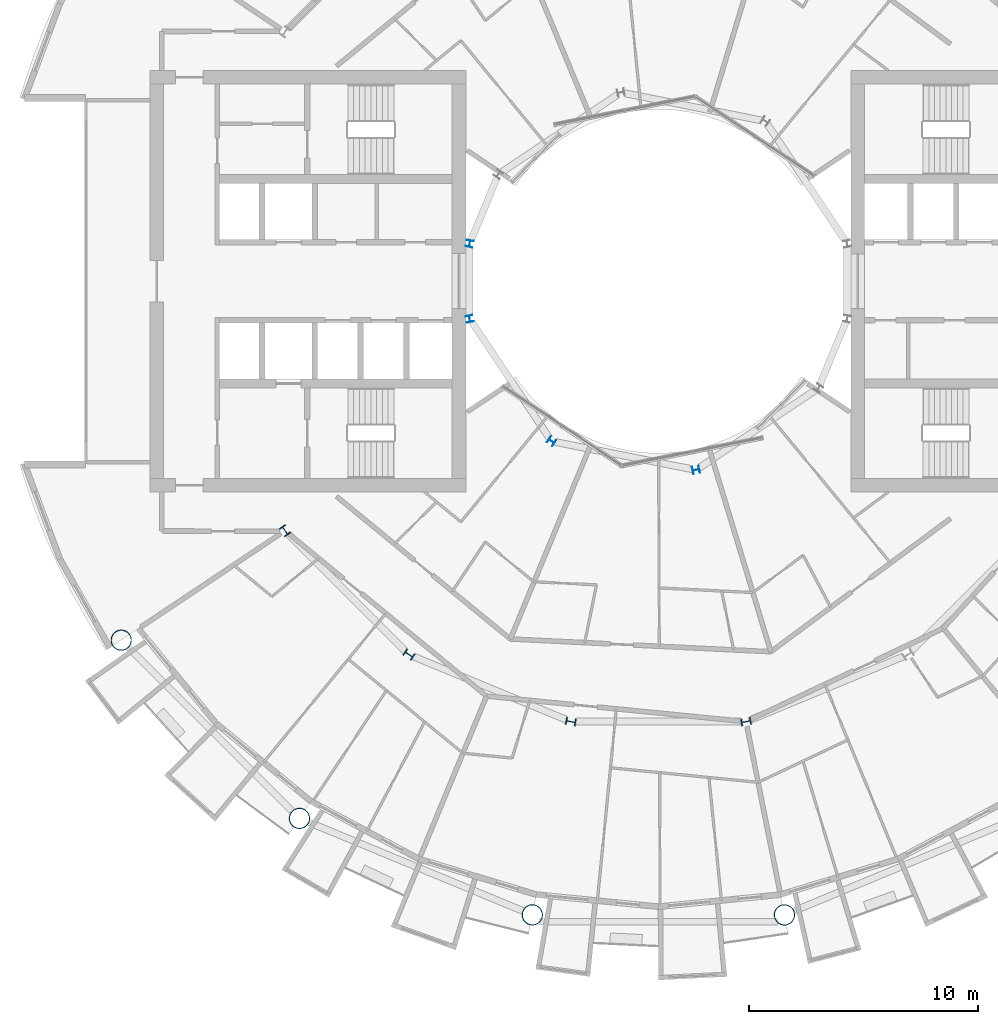
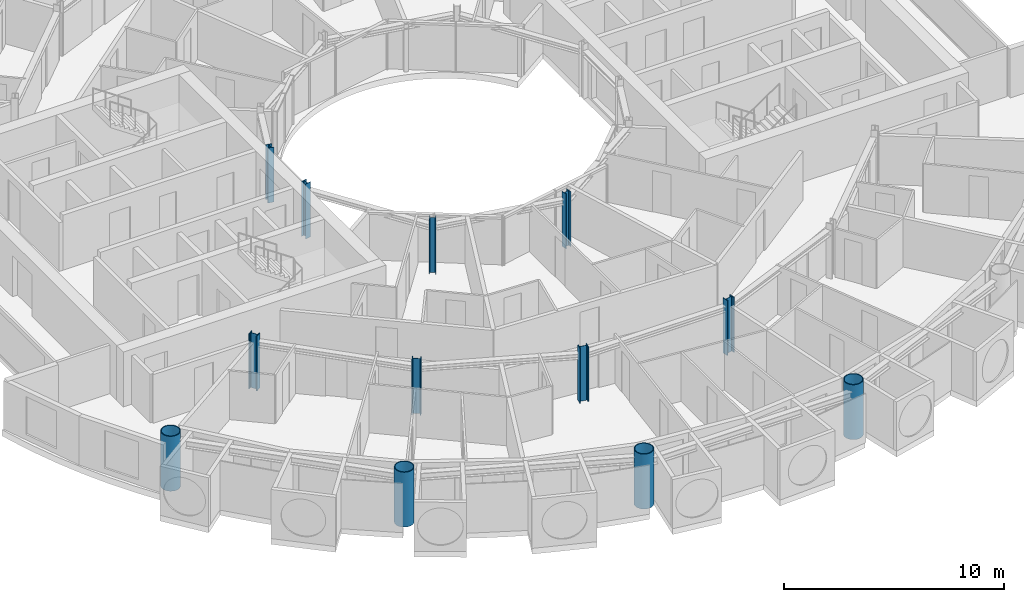
# One storey, part 1 of 27: 12 columns.
"""IFC4 building model written with IfcOpenShell, lengths in metres."""

from ifc_helpers import new_model, si_unit, direction, frame, origin, origin_2d, place, context, subcontext, project, spatial, hollow_circle, i_section, extrude, material, material_profile, profile_set, type_object, element, save


model = new_model("IFC4")

# Units and contexts
model_context = context("Model", 3, precision=1e-05, world=origin(), true_north=direction((0.0, 1.0)))
body_context = subcontext(model_context, "Body", "Model", "MODEL_VIEW")
ifc_project = project(units=[si_unit("LENGTHUNIT", "METRE"), si_unit("AREAUNIT", "SQUARE_METRE"), si_unit("VOLUMEUNIT", "CUBIC_METRE"), si_unit("PLANEANGLEUNIT", "RADIAN"), si_unit("MASSUNIT", "GRAM", prefix="KILO")], contexts=[model_context])

# Site, building, storey
site_placement = place(None, origin())
site = spatial("IfcSite", under=ifc_project, at=site_placement, CompositionType="ELEMENT")
building_placement = place(site_placement, origin())
building = spatial("IfcBuilding", under=site, at=building_placement, Name="Maasbend Ring Residences", CompositionType="ELEMENT")
storey_placement = place(building_placement, frame((0.0, 0.0, 114.699951171875)))
storey = spatial("IfcBuildingStorey", under=building, at=storey_placement, Name="L32", CompositionType="ELEMENT", Elevation=114.699951171875)

# Columns
ifc_material_1 = material(Name="Composite concrete-filled steel tube S460NH / C80/95", Category="concrete")
ifc_material_profile_1 = material_profile(ifc_material_1, hollow_circle(Radius=0.45703125, WallThickness=0.0400390625, at=origin_2d()), Name="Composite tube column CHS 914x40")
ifc_profile_set_1 = profile_set([ifc_material_profile_1], Name="Composite concrete-filled steel tube S460NH / C80/95")
column_type_1 = type_object("IfcColumnType", Name="Composite tube column CHS 914x40", PredefinedType="COLUMN", material=ifc_profile_set_1)
for number, where, z_axis, x_axis, name in (
    (1, (-23.447509765625, -15.6669921875, 0.0), (0.0, 0.0, 1.0), (1.0, 0.0, 0.0), "Outer column R10"),
    (2, (-15.6669921875, -23.447509765625, 0.0), (0.0, 0.0, 1.0), (1.0, 0.0, 0.0), "Outer column R11"),
    (3, (-5.50146484375, -27.658203125, 0.0), (0.0, 0.0, 1.0), (1.0, 0.0, 0.0), "Outer column R12"),
    (4, (5.50146484375, -27.658203125, 0.0), (0.0, 0.0, 1.0), (1.0, 0.0, 0.0), "Outer column R13"),
):
    element("IfcColumn", number, at=place(storey_placement, frame(where, z_axis=z_axis, x_axis=x_axis)), inside=storey, type_object=column_type_1, Name=name, PredefinedType="COLUMN", context=body_context, shape_type="SweptSolid", body=[
        extrude(hollow_circle(Radius=0.45703125, WallThickness=0.0400390625, at=origin_2d()), origin(), (0.0, 0.0, 1.0), 3.050048828125),
    ])
ifc_material_2 = material(Name="Steel S355J2", Category="steel")
ifc_material_profile_2 = material_profile(ifc_material_2, i_section(OverallWidth=0.300048828125, OverallDepth=0.300048828125, WebThickness=0.010986328125, FlangeThickness=0.01904296875, FilletRadius=0.027099609375, at=origin_2d()), Name="HEB 300")
ifc_profile_set_2 = profile_set([ifc_material_profile_2], Name="Steel S355J2")
column_type_2 = type_object("IfcColumnType", Name="Steel column HEB 300", PredefinedType="COLUMN", material=ifc_profile_set_2)
for number, where, z_axis, x_axis, name in (
    (5, (-8.238525390625, 1.638916015625, 0.0), (0.0, 0.0, 1.0), (-0.980785280403, 0.195090322016, 0.0), "Well ring column R8"),
    (6, (-8.238525390625, -1.638916015625, 0.0), (0.0, 0.0, 1.0), (-0.980785280403, -0.195090322016, 0.0), "Well ring column R9"),
    (7, (-4.666748046875, -6.984375, 0.0), (0.0, 0.0, 1.0), (-0.55557023302, -0.831469612303, 0.0), "Well ring column R11"),
    (8, (1.638916015625, -8.238525390625, 0.0), (0.0, 0.0, 1.0), (0.195090322016, -0.980785280403, 0.0), "Well ring column R13"),
):
    element("IfcColumn", number, at=place(storey_placement, frame(where, z_axis=z_axis, x_axis=x_axis)), inside=storey, type_object=column_type_2, Name=name, PredefinedType="COLUMN", context=body_context, shape_type="SweptSolid", body=[
        extrude(i_section(OverallWidth=0.300048828125, OverallDepth=0.300048828125, WebThickness=0.010986328125, FlangeThickness=0.01904296875, FilletRadius=0.027099609375, at=origin_2d()), origin(), (0.0, 0.0, 1.0), 3.050048828125),
    ])
ifc_material_3 = material(Name="Steel S460M", Category="steel")
ifc_material_profile_3 = material_profile(ifc_material_3, i_section(OverallWidth=0.306884765625, OverallDepth=0.431884765625, WebThickness=0.02099609375, FlangeThickness=0.0400390625, FilletRadius=0.027099609375, at=origin_2d()), Name="HEM 400")
ifc_profile_set_3 = profile_set([ifc_material_profile_3], Name="Steel S460M")
column_type_3 = type_object("IfcColumnType", Name="Steel column HEM 400", PredefinedType="COLUMN", material=ifc_profile_set_3)
for number, where, z_axis, x_axis, name in (
    (9, (-16.296875, -10.88916015625, 0.0), (0.0, 0.0, 1.0), (-0.831469612303, -0.55557023302, 0.0), "Corridor ring column R10"),
    (10, (-10.88916015625, -16.296875, 0.0), (0.0, 0.0, 1.0), (-0.55557023302, -0.831469612303, 0.0), "Corridor ring column R11"),
    (11, (-3.82373046875, -19.223388671875, 0.0), (0.0, 0.0, 1.0), (-0.195090322016, -0.980785280403, 0.0), "Corridor ring column R12"),
    (12, (3.82373046875, -19.223388671875, 0.0), (0.0, 0.0, 1.0), (0.195090322016, -0.980785280403, 0.0), "Corridor ring column R13"),
):
    element("IfcColumn", number, at=place(storey_placement, frame(where, z_axis=z_axis, x_axis=x_axis)), inside=storey, type_object=column_type_3, Name=name, PredefinedType="COLUMN", context=body_context, shape_type="SweptSolid", body=[
        extrude(i_section(OverallWidth=0.306884765625, OverallDepth=0.431884765625, WebThickness=0.02099609375, FlangeThickness=0.0400390625, FilletRadius=0.027099609375, at=origin_2d()), origin(), (0.0, 0.0, 1.0), 3.050048828125),
    ])

save(model, "model.ifc")
